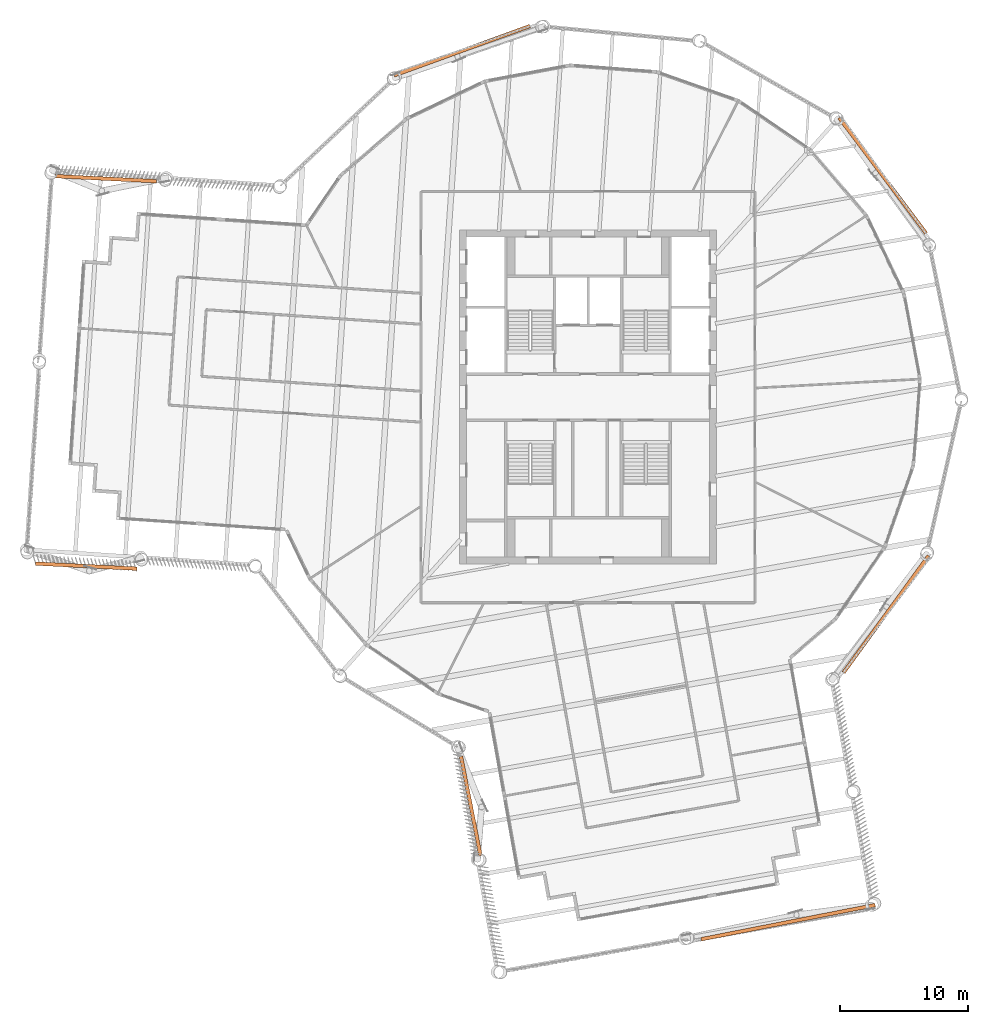
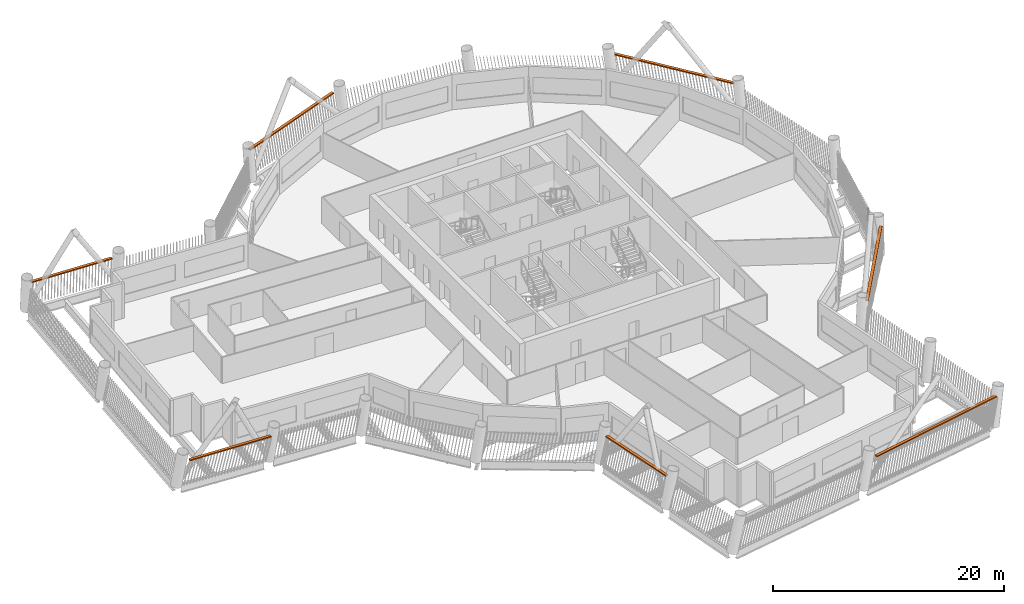
# One storey, part 22 of 22: 7 proxies.
"""IFC4 building model written with IfcOpenShell, lengths in metres."""

from ifc_helpers import new_model, si_unit, direction, frame, origin, origin_2d, place, context, subcontext, project, spatial, rectangle, extrude, material, type_object, element, save


model = new_model("IFC4")

# Units and contexts
model_context = context("Model", 3, precision=1e-05, world=origin(), true_north=direction((0.0, 1.0)))
body_context = subcontext(model_context, "Body", "Model", "MODEL_VIEW")
ifc_project = project(units=[si_unit("LENGTHUNIT", "METRE"), si_unit("AREAUNIT", "SQUARE_METRE"), si_unit("VOLUMEUNIT", "CUBIC_METRE"), si_unit("PLANEANGLEUNIT", "RADIAN"), si_unit("MASSUNIT", "GRAM", prefix="KILO")], contexts=[model_context])

# Site, building, storey
site_placement = place(None, origin())
site = spatial("IfcSite", under=ifc_project, at=site_placement, CompositionType="ELEMENT")
building_placement = place(site_placement, origin())
building = spatial("IfcBuilding", under=site, at=building_placement, Name="Tarsis Ring Headquarters", CompositionType="ELEMENT")
storey_placement = place(building_placement, frame((0.0, 0.0, 270.800048828125)))
storey = spatial("IfcBuildingStorey", under=building, at=storey_placement, Name="L63", CompositionType="ELEMENT", Elevation=270.800048828125)

# Proxies
ifc_material = material(Name="Structural steel S355", Category="steel")
building_element_proxy_type = type_object("IfcBuildingElementProxyType", Name="Screen bracket plate", PredefinedType="USERDEFINED", material=ifc_material)
proxy_1_placement = place(storey_placement, frame((-9.13232421875, -31.80517578125, 2.9677734375), z_axis=(0.0, 0.0, 1.0), x_axis=(0.192864541925, -0.981225391268, 0.0)))
element("IfcBuildingElementProxy", 1, at=proxy_1_placement, inside=storey, type_object=building_element_proxy_type, Name="Screen bracket L63-01", ObjectType="Bracket", PredefinedType="USERDEFINED", context=body_context, shape_type="SweptSolid", body=[
    extrude(rectangle(XDim=7.90234375, YDim=0.280029296875, at=origin_2d()), origin(), (0.0, 0.0, 1.0), 0.1201171875),
])
proxy_2_placement = place(storey_placement, frame((15.572509765625, -40.858642578125, 2.9677734375), z_axis=(0.0, 0.0, 1.0), x_axis=(0.981225408098, 0.192864456297, 0.0)))
element("IfcBuildingElementProxy", 2, at=proxy_2_placement, inside=storey, type_object=building_element_proxy_type, Name="Screen bracket L63-04", ObjectType="Bracket", PredefinedType="USERDEFINED", context=body_context, shape_type="SweptSolid", body=[
    extrude(rectangle(XDim=13.800048828125, YDim=0.280029296875, at=origin_2d()), origin(), (0.0, 0.0, 1.0), 0.1201171875),
])
for number, where, z_axis, x_axis, name in (
    (3, (23.18798828125, -16.895751953125, 2.9677734375), (0.0, 0.0, 1.0), (0.588896294909, 0.808208607875, 0.0), "Screen bracket L63-07"),
    (4, (22.9287109375, 17.245849609375, 2.9677734375), (0.0, 0.0, 1.0), (-0.601100473802, 0.799173460767, 0.0), "Screen bracket L63-10"),
    (5, (-9.801513671875, 26.96435546875, 2.9677734375), (0.0, 0.0, 1.0), (-0.939834449909, -0.341630219338, 0.0), "Screen bracket L63-13"),
):
    element("IfcBuildingElementProxy", number, at=place(storey_placement, frame(where, z_axis=z_axis, x_axis=x_axis)), inside=storey, type_object=building_element_proxy_type, Name=name, ObjectType="Bracket", PredefinedType="USERDEFINED", context=body_context, shape_type="SweptSolid", body=[
        extrude(rectangle(XDim=11.248779296875, YDim=0.280029296875, at=origin_2d()), origin(), (0.0, 0.0, 1.0), 0.1201171875),
    ])
for number, where, z_axis, x_axis, name in (
    (6, (-37.5419921875, 17.002685546875, 2.9677734375), (0.0, 0.0, 1.0), (-0.998736950468, 0.050244440199, 0.0), "Screen bracket L63-16"),
    (7, (-39.058837890625, -13.149169921875, 2.9677734375), (0.0, 0.0, 1.0), (0.998736955729, -0.050244335611, 0.0), "Screen bracket L63-19"),
):
    element("IfcBuildingElementProxy", number, at=place(storey_placement, frame(where, z_axis=z_axis, x_axis=x_axis)), inside=storey, type_object=building_element_proxy_type, Name=name, ObjectType="Bracket", PredefinedType="USERDEFINED", context=body_context, shape_type="SweptSolid", body=[
        extrude(rectangle(XDim=7.90234375, YDim=0.280029296875, at=origin_2d()), origin(), (0.0, 0.0, 1.0), 0.1201171875),
    ])

save(model, "model.ifc")
